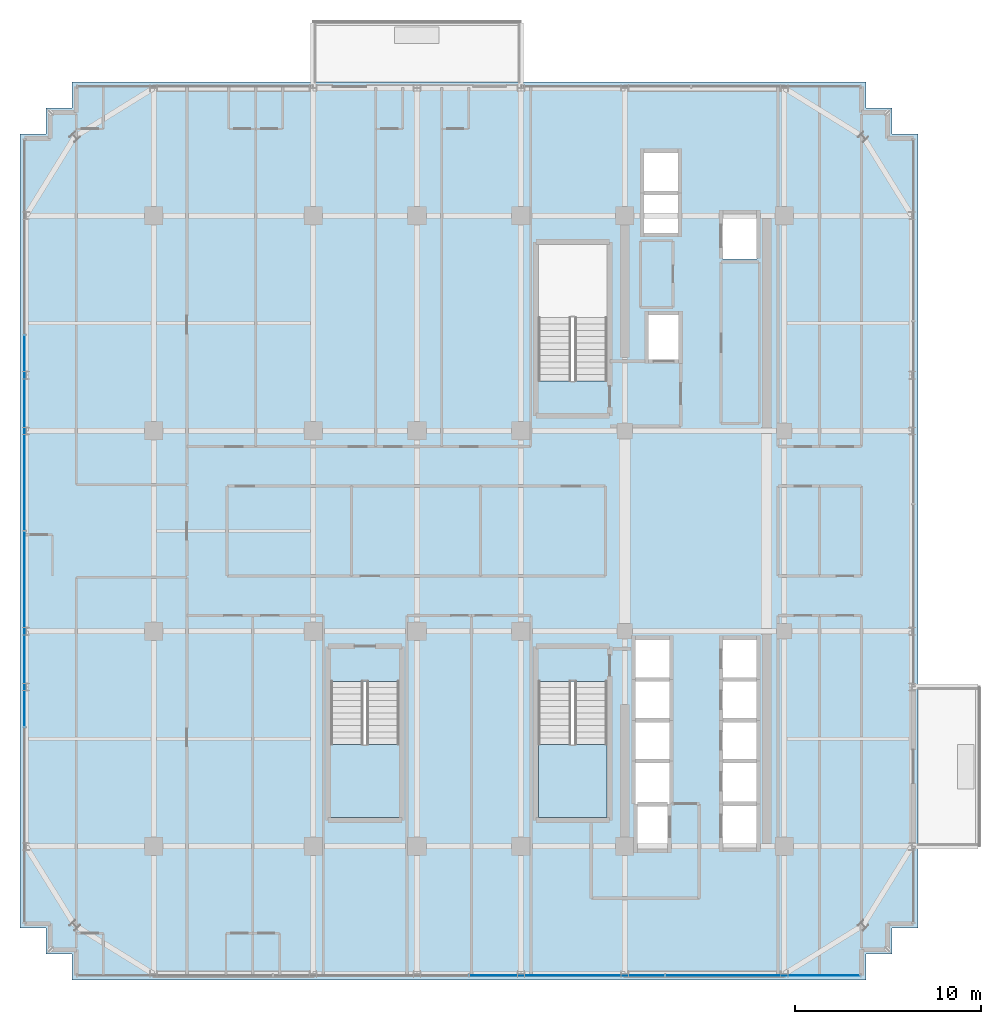
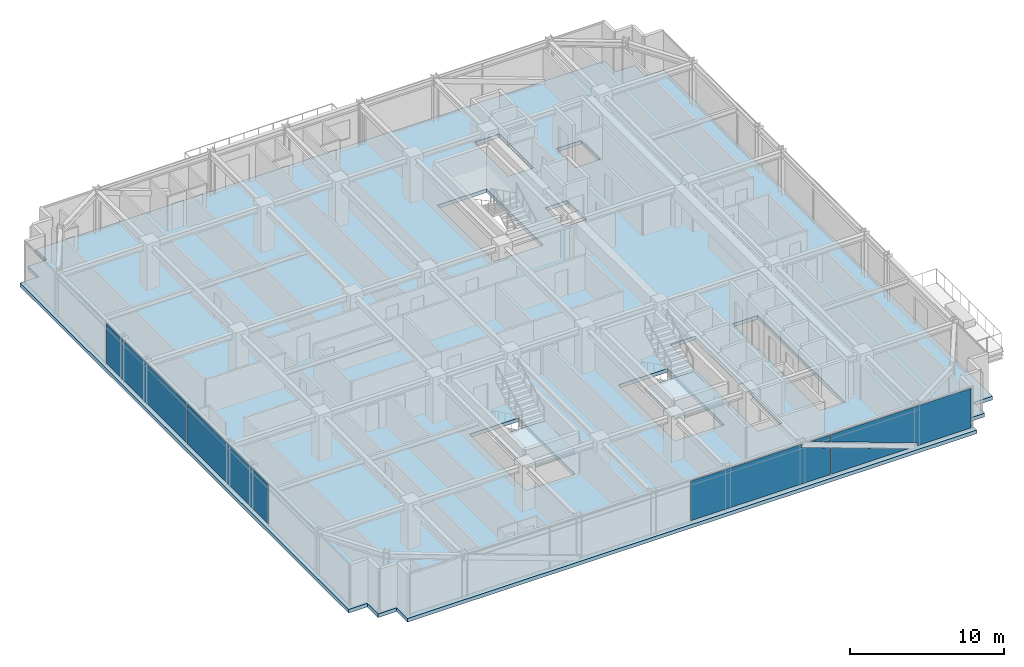
# One storey, part 30 of 43: 4 plates, 3 slabs, 4 elements without a shape of their own.
"""IFC4 building model written with IfcOpenShell, lengths in metres."""

from ifc_helpers import new_model, si_unit, direction, frame, origin, origin_2d, place, context, subcontext, project, spatial, polyline, rectangle, outline, extrude, source, transform, mapped, material, layer, layer_set, type_object, element, aggregate, save


model = new_model("IFC4")

# Units and contexts
model_context = context("Model", 3, precision=1e-05, world=origin(), true_north=direction((0.0, 1.0)))
body_context = subcontext(model_context, "Body", "Model", "MODEL_VIEW")
ifc_project = project(units=[si_unit("LENGTHUNIT", "METRE"), si_unit("AREAUNIT", "SQUARE_METRE"), si_unit("VOLUMEUNIT", "CUBIC_METRE"), si_unit("PLANEANGLEUNIT", "RADIAN"), si_unit("MASSUNIT", "GRAM", prefix="KILO")], contexts=[model_context])

# Site, building, storey
site_placement = place(None, origin())
site = spatial("IfcSite", under=ifc_project, at=site_placement, CompositionType="ELEMENT")
building_placement = place(site_placement, origin())
building = spatial("IfcBuilding", under=site, at=building_placement, Name="Nahalor Promenade Grand Hotel", CompositionType="ELEMENT")
storey_placement = place(building_placement, frame((0.0, 0.0, 204.89990234375)))
storey = spatial("IfcBuildingStorey", under=building, at=storey_placement, Name="L52", CompositionType="ELEMENT", Elevation=204.89990234375)

# Curtain wall, plates
ifc_material_1 = material(Name="Anodised Bronze Aluminium EN AW-6063 T6", Category="aluminium")
curtain_wall_type = type_object("IfcCurtainWallType", Name="CW2 Typical Hotel Flush Bronze Unitised Curtain Wall", PredefinedType="USERDEFINED", material=ifc_material_1)
curtain_wall_1_placement = place(storey_placement, origin())
curtain_wall_1 = element("IfcCurtainWall", 1, at=curtain_wall_1_placement, inside=storey, type_object=curtain_wall_type, Name="L52 Curtain Wall CW-L52-S-1", ObjectType="UNITISED_CURTAIN_WALL", PredefinedType="USERDEFINED")
ifc_material_2 = material(Name="Low-E Laminated Solar Glass", Category="glass")
ifc_layer_1 = layer(ifc_material_2, 0.028076171875)
ifc_layer_set_1 = layer_set([ifc_layer_1], Name="Low-E Laminated Solar Glass")
plate_type = type_object("IfcPlateType", Name="CWP2 Bronze Low-E Vision IGU 28mm", PredefinedType="CURTAIN_PANEL", material=ifc_layer_set_1)
plate_1_placement = place(storey_placement, frame((5.2900390625, -23.9599609375, 0.130126953125), z_axis=(0.0, 0.0, 1.0), x_axis=(1.0, 0.0, 0.0)))
plate_1 = element("IfcPlate", 2, at=plate_1_placement, type_object=plate_type, Name="CW-L52-S-1 Glazing Panel 2-0", PredefinedType="CURTAIN_PANEL", context=body_context, shape_type="SweptSolid", body=[
    extrude(outline(polyline([(-5.257568359375, 0.0), (5.257568359375, 0.0), (5.257568359375, 2.1142578125), (3.010009765625, 2.927001953125), (3.090576171875, 3.14990234375), (-5.257568359375, 3.14990234375), (-5.257568359375, 0.0)])), frame((0.0, 0.01416015625, 0.0), z_axis=(0.0, -1.0, 0.0), x_axis=(1.0, 0.0, 0.0)), (0.0, 0.0, 1.0), 0.028076171875),
    extrude(outline(polyline([(5.257568359375, 2.5927734375), (5.257568359375, 3.14990234375), (3.71630859375, 3.14990234375), (5.257568359375, 2.5927734375)])), frame((0.0, 0.01416015625, 0.0), z_axis=(0.0, -1.0, 0.0), x_axis=(1.0, 0.0, 0.0)), (0.0, 0.0, 1.0), 0.028076171875),
])
plate_2_placement = place(storey_placement, frame((15.853759765625, -23.9599609375, 0.130126953125), z_axis=(0.0, 0.0, 1.0), x_axis=(1.0, 0.0, 0.0)))
plate_2 = element("IfcPlate", 3, at=plate_2_placement, type_object=plate_type, Name="CW-L52-S-1 Glazing Panel 3-0", PredefinedType="CURTAIN_PANEL", context=body_context, shape_type="SweptSolid", body=[
    extrude(outline(polyline([(5.2412109375, 3.14990234375), (-5.2412109375, 3.14990234375), (-5.2412109375, 2.569091796875), (1.246337890625, 0.22314453125), (1.16552734375, 0.0), (5.2412109375, 0.0), (5.2412109375, 3.14990234375)])), frame((0.0, 0.01416015625, 0.0), z_axis=(0.0, -1.0, 0.0), x_axis=(1.0, 0.0, 0.0)), (0.0, 0.0, 1.0), 0.028076171875),
    extrude(outline(polyline([(-5.2412109375, 2.090576171875), (-5.2412109375, 0.0), (0.5400390625, 0.0), (-5.2412109375, 2.090576171875)])), frame((0.0, 0.01416015625, 0.0), z_axis=(0.0, -1.0, 0.0), x_axis=(1.0, 0.0, 0.0)), (0.0, 0.0, 1.0), 0.028076171875),
])
aggregate(curtain_wall_1, [plate_1, plate_2])

# Stair, slab
ifc_material_3 = material(Name="Concrete B-50 (C40/50)", Category="concrete")
stair_type_1 = type_object("IfcStairType", Name="Stair-ST2", PredefinedType="HALF_TURN_STAIR", material=ifc_material_3)
stair_1_placement = place(storey_placement, origin())
stair_1 = element("IfcStair", 4, at=stair_1_placement, inside=storey, type_object=stair_type_1, Name="L52 ST2", PredefinedType="HALF_TURN_STAIR")
ifc_layer_2 = layer(ifc_material_3, 0.2099609375)
ifc_layer_set_2 = layer_set([ifc_layer_2], Name="Concrete B-50 (C40/50)")
slab_type_1 = type_object("IfcSlabType", Name="Landing-ST2", PredefinedType="LANDING", material=ifc_layer_set_2)
slab_1_placement = place(storey_placement, frame((0.0, 0.0, 1.64013671875)))
slab_1 = element("IfcSlab", 5, at=slab_1_placement, type_object=slab_type_1, Name="ST2 landing 1", PredefinedType="LANDING", context=body_context, shape_type="SweptSolid", body=[
    extrude(outline(polyline([(3.75, -11.5), (3.75, -15.449951171875), (7.449951171875, -15.449951171875), (7.449951171875, -11.5), (3.75, -11.5)])), origin(), (0.0, 0.0, 1.0), 0.2099609375),
])
aggregate(stair_1, [slab_1])

stair_type_2 = type_object("IfcStairType", Name="Stair-ST3", PredefinedType="HALF_TURN_STAIR", material=ifc_material_3)
stair_2_placement = place(storey_placement, origin())
stair_2 = element("IfcStair", 6, at=stair_2_placement, inside=storey, type_object=stair_type_2, Name="L52 ST3", PredefinedType="HALF_TURN_STAIR")
ifc_layer_3 = layer(ifc_material_3, 0.219970703125)
ifc_layer_set_3 = layer_set([ifc_layer_3], Name="Concrete B-50 (C40/50)")
slab_type_2 = type_object("IfcSlabType", Name="Landing-ST3", PredefinedType="LANDING", material=ifc_layer_set_3)
slab_2_placement = place(storey_placement, frame((0.0, 0.0, 1.630126953125)))
slab_2 = element("IfcSlab", 7, at=slab_2_placement, type_object=slab_type_2, Name="ST3 landing 1", PredefinedType="LANDING", context=body_context, shape_type="SweptSolid", body=[
    extrude(outline(polyline([(-7.449951171875, -11.5), (-7.449951171875, -15.449951171875), (-3.75, -15.449951171875), (-3.75, -11.5), (-7.449951171875, -11.5)])), origin(), (0.0, 0.0, 1.0), 0.219970703125),
])
aggregate(stair_2, [slab_2])

# Slab
ifc_layer_4 = layer(ifc_material_3, 0.2900390625)
ifc_layer_set_4 = layer_set([ifc_layer_4], Name="Concrete B-50 (C40/50)")
slab_type_3 = type_object("IfcSlabType", Name="Slab-TowerZ4-290", PredefinedType="FLOOR", material=ifc_layer_set_4)
slab_3_placement = place(storey_placement, frame((0.0, 0.0, -0.289794921875)))
element("IfcSlab", 8, at=slab_3_placement, inside=storey, type_object=slab_type_3, Name="L52 Suspended Structural Floor Slab", PredefinedType="FLOOR", context=body_context, shape_type="SweptSolid", body=[
    extrude(outline(polyline([(-21.39990234375, -24.199951171875), (21.39990234375, -24.199951171875), (21.39990234375, -22.800048828125), (22.800048828125, -22.800048828125), (22.800048828125, -21.39990234375), (24.199951171875, -21.39990234375), (24.199951171875, 21.39990234375), (22.800048828125, 21.39990234375), (22.800048828125, 22.800048828125), (21.39990234375, 22.800048828125), (21.39990234375, 24.199951171875), (-21.39990234375, 24.199951171875), (-21.39990234375, 22.800048828125), (-22.800048828125, 22.800048828125), (-22.800048828125, 21.39990234375), (-24.199951171875, 21.39990234375), (-24.199951171875, -21.39990234375), (-22.800048828125, -21.39990234375), (-22.800048828125, -22.800048828125), (-21.39990234375, -22.800048828125), (-21.39990234375, -24.199951171875)]), holes=[polyline([(3.75, 8.10009765625), (7.449951171875, 8.10009765625), (7.449951171875, 15.449951171875), (3.75, 15.449951171875), (3.75, 8.10009765625)]), polyline([(3.75, -15.449951171875), (7.449951171875, -15.449951171875), (7.449951171875, -8.10009765625), (3.75, -8.10009765625), (3.75, -15.449951171875)]), polyline([(-7.449951171875, -15.449951171875), (-3.75, -15.449951171875), (-3.75, -8.10009765625), (-7.449951171875, -8.10009765625), (-7.449951171875, -15.449951171875)]), polyline([(13.659912109375, -17.139892578125), (15.5400390625, -17.139892578125), (15.5400390625, -5.81005859375), (13.659912109375, -5.81005859375), (13.659912109375, -17.139892578125)]), polyline([(8.9599609375, -17.18994140625), (10.840087890625, -17.18994140625), (10.840087890625, -5.81005859375), (8.9599609375, -5.81005859375), (8.9599609375, -17.18994140625)]), polyline([(9.409912109375, 16.010009765625), (11.2900390625, 16.010009765625), (11.2900390625, 20.43994140625), (9.409912109375, 20.43994140625), (9.409912109375, 16.010009765625)]), polyline([(9.659912109375, 9.2099609375), (11.340087890625, 9.2099609375), (11.340087890625, 11.68994140625), (9.659912109375, 11.68994140625), (9.659912109375, 9.2099609375)]), polyline([(13.659912109375, 14.659912109375), (15.5400390625, 14.659912109375), (15.5400390625, 17.139892578125), (13.659912109375, 17.139892578125), (13.659912109375, 14.659912109375)])]), origin(), (0.0, 0.0, 1.0), 0.289794921875),
])

# Curtain wall, plates
curtain_wall_2_placement = place(storey_placement, origin())
curtain_wall_2 = element("IfcCurtainWall", 9, at=curtain_wall_2_placement, inside=storey, type_object=curtain_wall_type, Name="L52 Curtain Wall CW-L52-W-1", ObjectType="UNITISED_CURTAIN_WALL", PredefinedType="USERDEFINED")
shared_shape = source(origin(), body_context, "Body", "SweptSolid", [
    extrude(rectangle(XDim=10.514892578125, YDim=0.028076171875, at=origin_2d()), origin(), (0.0, 0.0, 1.0), 3.14990234375),
])
plate_3_placement = place(storey_placement, frame((-23.9599609375, -5.2900390625, 0.130126953125), z_axis=(0.0, 0.0, 1.0), x_axis=(0.0, 1.0, 0.0)))
plate_3 = element("IfcPlate", 10, at=plate_3_placement, type_object=plate_type, Name="CW-L52-W-1 Glazing Panel 1-0", PredefinedType="CURTAIN_PANEL", context=body_context, shape_type="MappedRepresentation", body=[
    mapped(shared_shape, transform((0.0, 0.0, 0.0), scale=1.0)),
])
plate_4_placement = place(storey_placement, frame((-23.9599609375, 5.2900390625, 0.130126953125), z_axis=(0.0, 0.0, 1.0), x_axis=(0.0, 1.0, 0.0)))
plate_4 = element("IfcPlate", 11, at=plate_4_placement, type_object=plate_type, Name="CW-L52-W-1 Glazing Panel 2-0", PredefinedType="CURTAIN_PANEL", context=body_context, shape_type="MappedRepresentation", body=[
    mapped(shared_shape, transform((0.0, 0.0, 0.0), scale=1.0)),
])
aggregate(curtain_wall_2, [plate_3, plate_4])

save(model, "model.ifc")
